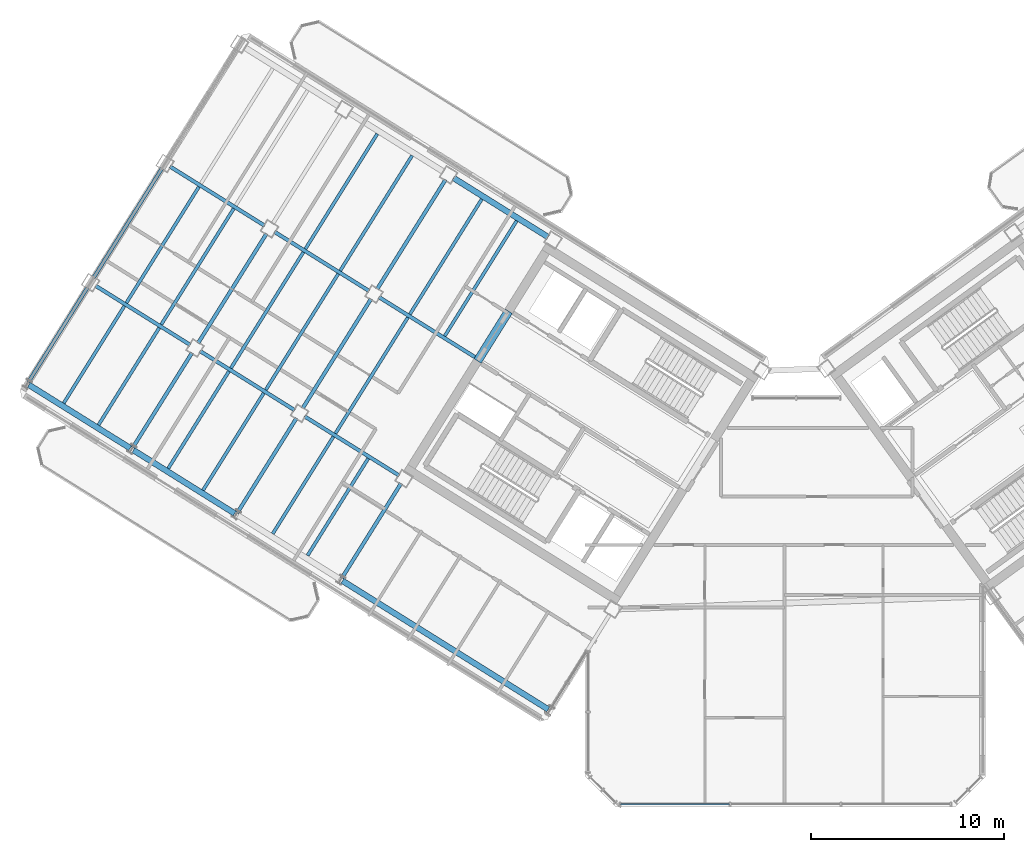
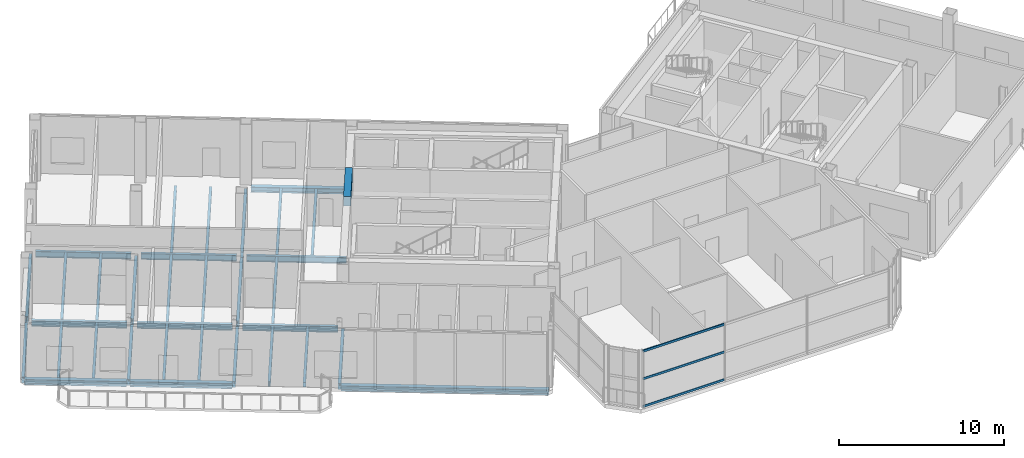
# One storey, part 7 of 27: 34 beams, 3 members, 1 element without a shape of its own.
"""IFC4 building model written with IfcOpenShell, lengths in metres."""

from ifc_helpers import new_model, si_unit, direction, frame, origin, origin_2d, place, context, subcontext, project, spatial, rectangle, hollow_rectangle, i_section, extrude, source, transform, mapped, material, material_profile, profile_set, type_object, element, aggregate, save


model = new_model("IFC4")

# Units and contexts
model_context = context("Model", 3, precision=1e-05, world=origin(), true_north=direction((0.0, 1.0)))
body_context = subcontext(model_context, "Body", "Model", "MODEL_VIEW")
ifc_project = project(units=[si_unit("LENGTHUNIT", "METRE"), si_unit("AREAUNIT", "SQUARE_METRE"), si_unit("VOLUMEUNIT", "CUBIC_METRE"), si_unit("PLANEANGLEUNIT", "RADIAN"), si_unit("MASSUNIT", "GRAM", prefix="KILO")], contexts=[model_context])

# Site, building, storey
site_placement = place(None, origin())
site = spatial("IfcSite", under=ifc_project, at=site_placement, CompositionType="ELEMENT")
building_placement = place(site_placement, origin())
building = spatial("IfcBuilding", under=site, at=building_placement, Name="Tlacorven Tower", CompositionType="ELEMENT")
storey_placement = place(building_placement, frame((0.0, 0.0, 254.699951171875)))
storey = spatial("IfcBuildingStorey", under=building, at=storey_placement, Name="L64", CompositionType="ELEMENT", Elevation=254.699951171875)

# Beams
ifc_material_1 = material(Name="Concrete C60/75", Category="concrete")
ifc_material_profile_1 = material_profile(ifc_material_1, rectangle(XDim=0.449951171875, YDim=0.699951171875, at=origin_2d()), Name="RC 450X700")
ifc_profile_set_1 = profile_set([ifc_material_profile_1], Name="Concrete C60/75")
beam_type_1 = type_object("IfcBeamType", Name="BM-LNT-700", PredefinedType="LINTEL", material=ifc_profile_set_1)
shared_shape_1 = source(origin(), body_context, "Body", "SweptSolid", [
    extrude(rectangle(XDim=0.449951171875, YDim=0.699951171875, at=origin_2d()), origin(), (0.0, 0.0, 1.0), 3.0498046875),
])
beam_1_placement = place(storey_placement, frame((27.622802734375, 27.562255859375, 3.900146484375), z_axis=(-0.529926983584, -0.848043272522, 0.0), x_axis=(0.848043272522, -0.529926983584, 0.0)))
element("IfcBeam", 1, at=beam_1_placement, inside=storey, type_object=beam_type_1, Name="L64 W core coupling lintel beam E2", PredefinedType="LINTEL", context=body_context, shape_type="MappedRepresentation", body=[
    mapped(shared_shape_1, transform((0.0, 0.0, 0.0), scale=1.0)),
])
ifc_material_2 = material(Name="Steel S355J2", Category="steel")
ifc_material_profile_2 = material_profile(ifc_material_2, i_section(OverallWidth=0.300048828125, OverallDepth=0.389892578125, WebThickness=0.010986328125, FlangeThickness=0.01904296875, at=origin_2d()), Name="HEA 400")
ifc_profile_set_2 = profile_set([ifc_material_profile_2], Name="Steel S355J2")
beam_type_2 = type_object("IfcBeamType", Name="BM-SPN-400", PredefinedType="SPANDREL", material=ifc_profile_set_2)
shared_shape_2 = source(origin(), body_context, "Body", "SweptSolid", [
    extrude(i_section(OverallWidth=0.300048828125, OverallDepth=0.389892578125, WebThickness=0.010986328125, FlangeThickness=0.01904296875, at=origin_2d()), origin(), (0.0, 0.0, 1.0), 12.599853515625),
])
beam_2_placement = place(storey_placement, frame((29.67578125, 6.882080078125, -0.474853515625), z_axis=(-0.848045108756, 0.529924045043, 0.0), x_axis=(-0.529924045043, -0.848045108756, 0.0)))
element("IfcBeam", 2, at=beam_2_placement, inside=storey, type_object=beam_type_2, Name="L64 beam BM-L64-WL4-1", PredefinedType="SPANDREL", context=body_context, shape_type="MappedRepresentation", body=[
    mapped(shared_shape_2, transform((0.0, 0.0, 0.0), scale=1.0)),
])
shared_shape_3 = source(origin(), body_context, "Body", "SweptSolid", [
    extrude(i_section(OverallWidth=0.300048828125, OverallDepth=0.389892578125, WebThickness=0.010986328125, FlangeThickness=0.01904296875, at=origin_2d()), origin(), (0.0, 0.0, 1.0), 6.199951171875),
])
for number, where, z_axis, x_axis, name in (
    (3, (13.393310546875, 17.056396484375, -0.474853515625), (-0.848033697614, 0.529942306022, 0.0), (-0.529942306022, -0.848033697614, 0.0), "L64 beam BM-L64-WL4-4"),
    (4, (7.9658203125, 20.447998046875, -0.474853515625), (-0.848051394107, 0.529913986372, 0.0), (-0.529913986372, -0.848051394107, 0.0), "L64 beam BM-L64-WL4-5"),
):
    element("IfcBeam", number, at=place(storey_placement, frame(where, z_axis=z_axis, x_axis=x_axis)), inside=storey, type_object=beam_type_2, Name=name, PredefinedType="SPANDREL", context=body_context, shape_type="MappedRepresentation", body=[
        mapped(shared_shape_3, transform((0.0, 0.0, 0.0), scale=1.0)),
    ])
shared_shape_4 = source(origin(), body_context, "Body", "SweptSolid", [
    extrude(i_section(OverallWidth=0.300048828125, OverallDepth=0.389892578125, WebThickness=0.010986328125, FlangeThickness=0.01904296875, at=origin_2d()), origin(), (0.0, 0.0, 1.0), 5.800048828125),
])
beam_3_placement = place(storey_placement, frame((29.673583984375, 31.410400390625, -0.474853515625), z_axis=(-0.848052689693, 0.529911912967, 0.0), x_axis=(-0.529911912967, -0.848052689693, 0.0)))
element("IfcBeam", 5, at=beam_3_placement, inside=storey, type_object=beam_type_2, Name="L64 beam BM-L64-WL1-3", PredefinedType="SPANDREL", context=body_context, shape_type="MappedRepresentation", body=[
    mapped(shared_shape_4, transform((0.0, 0.0, 0.0), scale=1.0)),
])
ifc_material_profile_3 = material_profile(ifc_material_2, i_section(OverallWidth=0.18994140625, OverallDepth=0.449951171875, WebThickness=0.009521484375, FlangeThickness=0.0146484375, at=origin_2d()), Name="IPE 450")
ifc_profile_set_3 = profile_set([ifc_material_profile_3], Name="Steel S355J2")
beam_type_3 = type_object("IfcBeamType", Name="BM-TWR-450", PredefinedType="BEAM", material=ifc_profile_set_3)
shared_shape_5 = source(origin(), body_context, "Body", "SweptSolid", [
    extrude(i_section(OverallWidth=0.18994140625, OverallDepth=0.449951171875, WebThickness=0.009521484375, FlangeThickness=0.0146484375, at=origin_2d()), origin(), (0.0, 0.0, 1.0), 6.06005859375),
])
beam_4_placement = place(storey_placement, frame((26.025634765625, 25.081787109375, -0.5048828125), z_axis=(-0.848039041052, 0.529933755154, 0.0), x_axis=(-0.529933755154, -0.848039041052, 0.0)))
element("IfcBeam", 6, at=beam_4_placement, inside=storey, type_object=beam_type_3, Name="L64 beam BM-L64-WL2-3", PredefinedType="BEAM", context=body_context, shape_type="MappedRepresentation", body=[
    mapped(shared_shape_5, transform((0.0, 0.0, 0.0), scale=1.0)),
])
shared_shape_6 = source(origin(), body_context, "Body", "SweptSolid", [
    extrude(i_section(OverallWidth=0.18994140625, OverallDepth=0.449951171875, WebThickness=0.009521484375, FlangeThickness=0.0146484375, at=origin_2d()), origin(), (0.0, 0.0, 1.0), 5.800048828125),
])
for number, where, z_axis, x_axis, name in (
    (7, (20.377685546875, 28.611083984375, -0.5048828125), (-0.848052689693, 0.529911912967, 0.0), (-0.529911912967, -0.848052689693, 0.0), "L64 beam BM-L64-WL2-4"),
    (8, (14.9501953125, 32.00244140625, -0.5048828125), (-0.848033773154, 0.52994218514, 0.0), (-0.52994218514, -0.848033773154, 0.0), "L64 beam BM-L64-WL2-5"),
    (9, (21.936767578125, 19.02880859375, -0.5048828125), (-0.848052689693, 0.529911912967, 0.0), (-0.529911912967, -0.848052689693, 0.0), "L64 beam BM-L64-WL3-3"),
    (10, (16.50927734375, 22.42041015625, -0.5048828125), (-0.848052689693, 0.529911912967, 0.0), (-0.529911912967, -0.848052689693, 0.0), "L64 beam BM-L64-WL3-4"),
    (11, (11.081787109375, 25.811767578125, -0.5048828125), (-0.848052689693, 0.529911912967, 0.0), (-0.529911912967, -0.848052689693, 0.0), "L64 beam BM-L64-WL3-5"),
    (12, (22.0322265625, 18.615478515625, -0.5048828125), (-0.52994218514, -0.848033773154, 0.0), (0.848033773154, -0.52994218514, 0.0), "L64 beam BM-L64-WT3-2"),
    (13, (16.604736328125, 22.0068359375, -0.5048828125), (-0.52994218514, -0.848033773154, 0.0), (0.848033773154, -0.52994218514, 0.0), "L64 beam BM-L64-WT4-3"),
    (14, (11.17724609375, 25.3984375, -0.5048828125), (-0.52994218514, -0.848033773154, 0.0), (0.848033773154, -0.52994218514, 0.0), "L64 beam BM-L64-WT5-3"),
    (15, (5.74951171875, 28.789794921875, -0.5048828125), (-0.529911912967, -0.848052689693, 0.0), (0.848052689693, -0.529911912967, 0.0), "L64 beam BM-L64-WT6-3"),
):
    element("IfcBeam", number, at=place(storey_placement, frame(where, z_axis=z_axis, x_axis=x_axis)), inside=storey, type_object=beam_type_3, Name=name, PredefinedType="BEAM", context=body_context, shape_type="MappedRepresentation", body=[
        mapped(shared_shape_6, transform((0.0, 0.0, 0.0), scale=1.0)),
    ])
shared_shape_7 = source(origin(), body_context, "Body", "SweptSolid", [
    extrude(i_section(OverallWidth=0.18994140625, OverallDepth=0.449951171875, WebThickness=0.009521484375, FlangeThickness=0.0146484375, at=origin_2d()), origin(), (0.0, 0.0, 1.0), 6.699951171875),
])
for number, where, z_axis, x_axis, name in (
    (16, (24.341552734375, 34.388427734375, -0.5048828125), (-0.529930154818, -0.848041290867, 0.0), (0.848041290867, -0.529930154818, 0.0), "L64 beam BM-L64-WT4-1"),
    (17, (20.47314453125, 28.19775390625, -0.5048828125), (-0.529930154818, -0.848041290867, 0.0), (0.848041290867, -0.529930154818, 0.0), "L64 beam BM-L64-WT4-2"),
    (18, (15.045654296875, 31.589111328125, -0.5048828125), (-0.529930154818, -0.848041290867, 0.0), (0.848041290867, -0.529930154818, 0.0), "L64 beam BM-L64-WT5-2"),
    (19, (9.617919921875, 34.980712890625, -0.5048828125), (-0.529903948186, -0.848057666493, 0.0), (0.848057666493, -0.529903948186, 0.0), "L64 beam BM-L64-WT6-2"),
):
    element("IfcBeam", number, at=place(storey_placement, frame(where, z_axis=z_axis, x_axis=x_axis)), inside=storey, type_object=beam_type_3, Name=name, PredefinedType="BEAM", context=body_context, shape_type="MappedRepresentation", body=[
        mapped(shared_shape_7, transform((0.0, 0.0, 0.0), scale=1.0)),
    ])
ifc_material_profile_4 = material_profile(ifc_material_2, i_section(OverallWidth=0.169921875, OverallDepth=0.360107421875, WebThickness=0.008056640625, FlangeThickness=0.0126953125, at=origin_2d()), Name="IPE 360")
ifc_profile_set_4 = profile_set([ifc_material_profile_4], Name="Steel S355J2")
beam_type_4 = type_object("IfcBeamType", Name="BM-JST-360", PredefinedType="JOIST", material=ifc_profile_set_4)
shared_shape_8 = source(origin(), body_context, "Body", "SweptSolid", [
    extrude(i_section(OverallWidth=0.169921875, OverallDepth=0.360107421875, WebThickness=0.008056640625, FlangeThickness=0.0126953125, at=origin_2d()), origin(), (0.0, 0.0, 1.0), 7.044921875),
])
for number, where, z_axis, x_axis, name in (
    (20, (28.03662109375, 32.25048828125, -0.4599609375), (-0.529899256491, -0.848060598053, 0.0), (0.848060598053, -0.529899256491, 0.0), "L64 beam BM-L64-WJ3-1-1"),
    (21, (26.2275390625, 33.380859375, -0.4599609375), (-0.529939753148, -0.848035292917, 0.0), (0.848035292917, -0.529939753148, 0.0), "L64 beam BM-L64-WJ3-1-2"),
    (22, (22.609130859375, 35.641845703125, -0.4599609375), (-0.52991483005, -0.848050866925, 0.0), (0.848050866925, -0.52991483005, 0.0), "L64 beam BM-L64-WJ4-1-1"),
):
    element("IfcBeam", number, at=place(storey_placement, frame(where, z_axis=z_axis, x_axis=x_axis)), inside=storey, type_object=beam_type_4, Name=name, PredefinedType="JOIST", context=body_context, shape_type="MappedRepresentation", body=[
        mapped(shared_shape_8, transform((0.0, 0.0, 0.0), scale=1.0)),
    ])
shared_shape_9 = source(origin(), body_context, "Body", "SweptSolid", [
    extrude(i_section(OverallWidth=0.169921875, OverallDepth=0.360107421875, WebThickness=0.008056640625, FlangeThickness=0.0126953125, at=origin_2d()), origin(), (0.0, 0.0, 1.0), 5.945068359375),
])
for number, where, z_axis, x_axis, name in (
    (23, (20.3291015625, 19.91552734375, -0.4599609375), (-0.529914037113, -0.848051362401, 0.0), (0.848051362401, -0.529914037113, 0.0), "L64 beam BM-L64-WJ3-3-1"),
    (24, (18.519775390625, 21.046142578125, -0.4599609375), (-0.529914037113, -0.848051362401, 0.0), (0.848051362401, -0.529914037113, 0.0), "L64 beam BM-L64-WJ3-3-2"),
    (25, (14.9013671875, 23.30712890625, -0.4599609375), (-0.529884501938, -0.848069817059, 0.0), (0.848069817059, -0.529884501938, 0.0), "L64 beam BM-L64-WJ4-3-1"),
    (26, (9.473876953125, 26.698486328125, -0.4599609375), (-0.529914037113, -0.848051362401, 0.0), (0.848051362401, -0.529914037113, 0.0), "L64 beam BM-L64-WJ5-3-1"),
    (27, (7.664794921875, 27.8291015625, -0.4599609375), (-0.529914037113, -0.848051362401, 0.0), (0.848051362401, -0.529914037113, 0.0), "L64 beam BM-L64-WJ5-3-2"),
):
    element("IfcBeam", number, at=place(storey_placement, frame(where, z_axis=z_axis, x_axis=x_axis)), inside=storey, type_object=beam_type_4, Name=name, PredefinedType="JOIST", context=body_context, shape_type="MappedRepresentation", body=[
        mapped(shared_shape_9, transform((0.0, 0.0, 0.0), scale=1.0)),
    ])
shared_shape_10 = source(origin(), body_context, "Body", "SweptSolid", [
    extrude(i_section(OverallWidth=0.169921875, OverallDepth=0.360107421875, WebThickness=0.008056640625, FlangeThickness=0.0126953125, at=origin_2d()), origin(), (0.0, 0.0, 1.0), 7.10009765625),
])
for number, where, z_axis, x_axis, name in (
    (28, (22.38818359375, 27.23681640625, -0.4599609375), (-0.529915484902, -0.848050457733, 0.0), (0.848050457733, -0.529915484902, 0.0), "L64 beam BM-L64-WJ3-2-2"),
    (29, (11.533203125, 34.019775390625, -0.4599609375), (-0.529915484902, -0.848050457733, 0.0), (0.848050457733, -0.529915484902, 0.0), "L64 beam BM-L64-WJ5-2-2"),
):
    element("IfcBeam", number, at=place(storey_placement, frame(where, z_axis=z_axis, x_axis=x_axis)), inside=storey, type_object=beam_type_4, Name=name, PredefinedType="JOIST", context=body_context, shape_type="MappedRepresentation", body=[
        mapped(shared_shape_10, transform((0.0, 0.0, 0.0), scale=1.0)),
    ])
shared_shape_11 = source(origin(), body_context, "Body", "SweptSolid", [
    extrude(i_section(OverallWidth=0.169921875, OverallDepth=0.360107421875, WebThickness=0.008056640625, FlangeThickness=0.0126953125, at=origin_2d()), origin(), (0.0, 0.0, 1.0), 7.099853515625),
])
for number, where, z_axis, x_axis, name in (
    (30, (18.769775390625, 29.497802734375, -0.4599609375), (-0.529890754507, -0.848065910344, 0.0), (0.848065910344, -0.529890754507, 0.0), "L64 beam BM-L64-WJ4-2-1"),
    (31, (16.960693359375, 30.628173828125, -0.4599609375), (-0.529930937954, -0.848040801494, 0.0), (0.848040801494, -0.529930937954, 0.0), "L64 beam BM-L64-WJ4-2-2"),
    (32, (13.34228515625, 32.88916015625, -0.4599609375), (-0.529930937954, -0.848040801494, 0.0), (0.848040801494, -0.529930937954, 0.0), "L64 beam BM-L64-WJ5-2-1"),
):
    element("IfcBeam", number, at=place(storey_placement, frame(where, z_axis=z_axis, x_axis=x_axis)), inside=storey, type_object=beam_type_4, Name=name, PredefinedType="JOIST", context=body_context, shape_type="MappedRepresentation", body=[
        mapped(shared_shape_11, transform((0.0, 0.0, 0.0), scale=1.0)),
    ])
shared_shape_12 = source(origin(), body_context, "Body", "SweptSolid", [
    extrude(i_section(OverallWidth=0.169921875, OverallDepth=0.360107421875, WebThickness=0.008056640625, FlangeThickness=0.0126953125, at=origin_2d()), origin(), (0.0, 0.0, 1.0), 7.045166015625),
])
beam_5_placement = place(storey_placement, frame((20.800048828125, 36.7724609375, -0.4599609375), z_axis=(-0.529924179428, -0.848045024782, 0.0), x_axis=(0.848045024782, -0.529924179428, 0.0)))
element("IfcBeam", 33, at=beam_5_placement, inside=storey, type_object=beam_type_4, Name="L64 beam BM-L64-WJ4-1-2", PredefinedType="JOIST", context=body_context, shape_type="MappedRepresentation", body=[
    mapped(shared_shape_12, transform((0.0, 0.0, 0.0), scale=1.0)),
])
shared_shape_13 = source(origin(), body_context, "Body", "SweptSolid", [
    extrude(i_section(OverallWidth=0.169921875, OverallDepth=0.360107421875, WebThickness=0.008056640625, FlangeThickness=0.0126953125, at=origin_2d()), origin(), (0.0, 0.0, 1.0), 5.94482421875),
])
beam_6_placement = place(storey_placement, frame((13.09228515625, 24.4375, -0.4599609375), z_axis=(-0.529932492401, -0.848039830136, 0.0), x_axis=(0.848039830136, -0.529932492401, 0.0)))
element("IfcBeam", 34, at=beam_6_placement, inside=storey, type_object=beam_type_4, Name="L64 beam BM-L64-WJ4-3-2", PredefinedType="JOIST", context=body_context, shape_type="MappedRepresentation", body=[
    mapped(shared_shape_13, transform((0.0, 0.0, 0.0), scale=1.0)),
])

# Curtain wall, members
ifc_material_3 = material(Name="Dark solar low-E double glazing in aluminium frame", Category="aluminium")
curtain_wall_type = type_object("IfcCurtainWallType", Name="CW-COM-AMENITY", PredefinedType="USERDEFINED", material=ifc_material_3)
curtain_wall_placement = place(storey_placement, origin())
curtain_wall = element("IfcCurtainWall", 35, at=curtain_wall_placement, inside=storey, type_object=curtain_wall_type, Name="L64 CW-COM-AMENITY Curtain Wall 297", ObjectType="UNITISED CURTAIN WALL", PredefinedType="USERDEFINED")
ifc_material_4 = material(Name="Aluminium 6063-T6 anodised", Category="aluminium")
ifc_material_profile_5 = material_profile(ifc_material_4, hollow_rectangle(XDim=0.06494140625, YDim=0.159912109375, WallThickness=0.00390625, at=origin_2d()), Name="ALU TRANSOM 65X160")
ifc_profile_set_5 = profile_set([ifc_material_profile_5], Name="Aluminium 6063-T6 anodised")
member_type = type_object("IfcMemberType", Name="CWT-01", PredefinedType="USERDEFINED", material=ifc_profile_set_5)
shared_shape_14 = source(origin(), body_context, "Body", "SweptSolid", [
    extrude(hollow_rectangle(XDim=0.06494140625, YDim=0.159912109375, WallThickness=0.00390625, at=origin_2d()), origin(), (0.0, 0.0, 1.0), 5.6748046875),
])
member_1_placement = place(storey_placement, frame((39.09912109375, 1.9599609375, 0.080078125), z_axis=(-1.0, 0.0, 0.0), x_axis=(0.0, -1.0, 0.0)))
member_1 = element("IfcMember", 36, at=member_1_placement, type_object=member_type, Name="CW-L64-297 Transom 7", ObjectType="TRANSOM", PredefinedType="USERDEFINED", context=body_context, shape_type="MappedRepresentation", body=[
    mapped(shared_shape_14, transform((0.0, 0.0, 0.0), scale=1.0)),
])
member_2_placement = place(storey_placement, frame((39.09912109375, 1.9599609375, 2.125), z_axis=(-1.0, 0.0, 0.0), x_axis=(0.0, -1.0, 0.0)))
member_2 = element("IfcMember", 37, at=member_2_placement, type_object=member_type, Name="CW-L64-297 Transom 8", ObjectType="TRANSOM", PredefinedType="USERDEFINED", context=body_context, shape_type="MappedRepresentation", body=[
    mapped(shared_shape_14, transform((0.0, 0.0, 0.0), scale=1.0)),
])
member_3_placement = place(storey_placement, frame((39.09912109375, 1.9599609375, 4.170166015625), z_axis=(-1.0, 0.0, 0.0), x_axis=(0.0, -1.0, 0.0)))
member_3 = element("IfcMember", 38, at=member_3_placement, type_object=member_type, Name="CW-L64-297 Transom 9", ObjectType="TRANSOM", PredefinedType="USERDEFINED", context=body_context, shape_type="MappedRepresentation", body=[
    mapped(shared_shape_14, transform((0.0, 0.0, 0.0), scale=1.0)),
])
aggregate(curtain_wall, [member_1, member_2, member_3])

save(model, "model.ifc")
